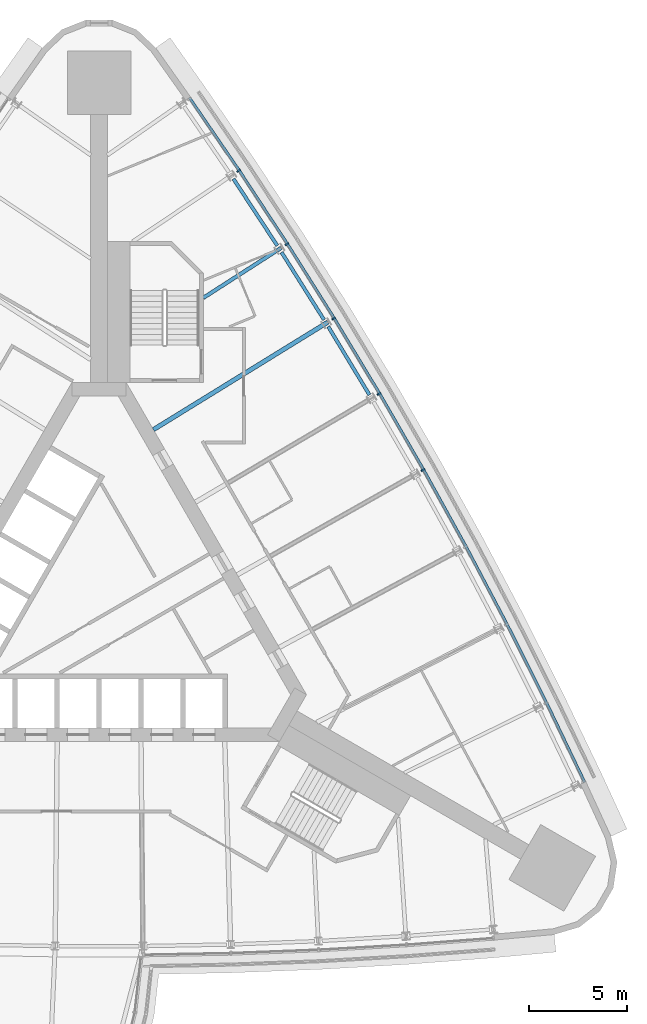
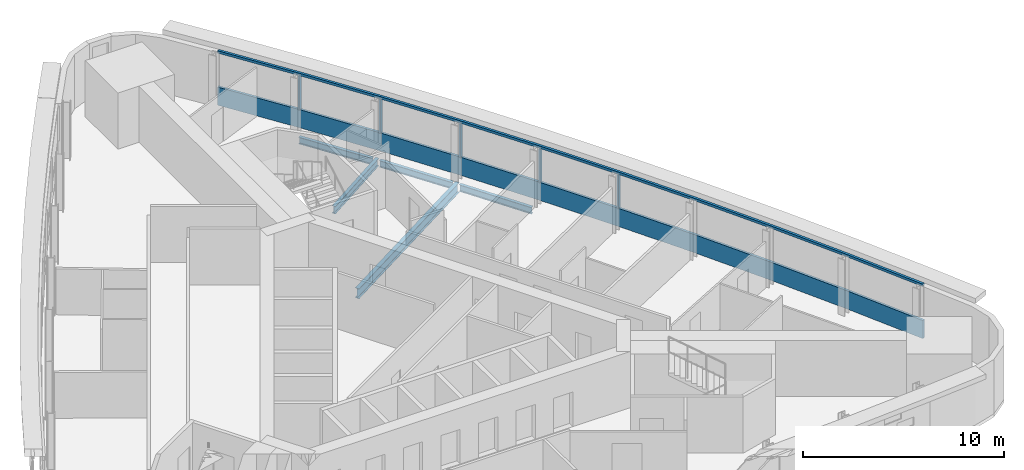
# One storey, part 8 of 16: 7 members, 5 beams, 1 element without a shape of its own.
"""IFC4 building model written with IfcOpenShell, lengths in metres."""

from ifc_helpers import new_model, si_unit, direction, frame, origin, origin_2d, place, context, subcontext, project, spatial, polyline, rectangle, i_section, outline, extrude, material, material_profile, profile_set, type_object, element, aggregate, save


model = new_model("IFC4")

# Units and contexts
model_context = context("Model", 3, precision=1e-05, world=origin(), true_north=direction((0.0, 1.0)))
body_context = subcontext(model_context, "Body", "Model", "MODEL_VIEW")
ifc_project = project(units=[si_unit("LENGTHUNIT", "METRE"), si_unit("AREAUNIT", "SQUARE_METRE"), si_unit("VOLUMEUNIT", "CUBIC_METRE"), si_unit("PLANEANGLEUNIT", "RADIAN"), si_unit("MASSUNIT", "GRAM", prefix="KILO")], contexts=[model_context])

# Site, building, storey
site_placement = place(None, origin())
site = spatial("IfcSite", under=ifc_project, at=site_placement, CompositionType="ELEMENT")
building_placement = place(site_placement, origin())
building = spatial("IfcBuilding", under=site, at=building_placement, Name="Noor Cloister Tower", CompositionType="ELEMENT")
storey_placement = place(building_placement, frame((0.0, 0.0, 65.39990234375)))
storey = spatial("IfcBuildingStorey", under=building, at=storey_placement, Name="L16", CompositionType="ELEMENT", Elevation=65.39990234375)

# Curtain wall, members
ifc_material_1 = material(Name="Aluminium 6063-T6 anodised", Category="aluminium")
curtain_wall_type = type_object("IfcCurtainWallType", Name="Ribbon curtain wall, lower tower CW1", PredefinedType="NOTDEFINED", material=ifc_material_1)
curtain_wall_placement = place(storey_placement, origin())
curtain_wall = element("IfcCurtainWall", 1, at=curtain_wall_placement, inside=storey, type_object=curtain_wall_type, Name="CW1 L16 NE run 4", PredefinedType="NOTDEFINED")
ifc_material_2 = material(Name="Aluminium 6063-T6 anodised", Category="aluminium")
member_type_1 = type_object("IfcMemberType", Name="Head transom CW1 150", PredefinedType="USERDEFINED", material=ifc_material_2)
member_1_placement = place(storey_placement, frame((0.0, 0.0, 3.150146484375)))
member_1 = element("IfcMember", 2, at=member_1_placement, type_object=member_type_1, Name="CW1 head transom", ObjectType="TRANSOM", PredefinedType="USERDEFINED", context=body_context, shape_type="SweptSolid", body=[
    extrude(outline(polyline([(24.908935546875, -8.972900390625), (22.962890625, -4.91552734375), (20.939697265625, -0.89599609375), (18.840087890625, 3.084228515625), (16.6650390625, 7.0234375), (14.4150390625, 10.920654296875), (12.091064453125, 14.77392578125), (9.69384765625, 18.582275390625), (7.224609375, 22.343994140625), (4.683837890625, 26.05810546875), (4.568115234375, 25.97900390625), (7.108154296875, 22.26611328125), (9.576171875, 18.506591796875), (11.971923828125, 14.700439453125), (14.29443359375, 10.849365234375), (16.543212890625, 6.95458984375), (18.717041015625, 3.017822265625), (20.815185546875, -0.9599609375), (22.837158203125, -4.97705078125), (24.78271484375, -9.033447265625), (24.908935546875, -8.972900390625)])), origin(), (0.0, 0.0, 1.0), 0.14990234375),
])
ifc_material_3 = material(Name="Aluminium 6063-T6 anodised", Category="aluminium")
ifc_material_profile_1 = material_profile(ifc_material_3, rectangle(XDim=0.199951171875, YDim=0.080078125, at=origin_2d()), Name="200 x 80 mullion")
ifc_profile_set_1 = profile_set([ifc_material_profile_1], Name="Aluminium 6063-T6 anodised")
member_type_2 = type_object("IfcMemberType", Name="Mullion CW1 80 x 200", PredefinedType="MULLION", material=ifc_profile_set_1)
member_2_placement = place(storey_placement, frame((16.577880859375, 6.974365234375, 1.10009765625), z_axis=(0.0, 0.0, 1.0), x_axis=(-0.870759932602, -0.491708388961, 0.0)))
member_2 = element("IfcMember", 3, at=member_2_placement, type_object=member_type_2, Name="CW1 mullion 5", PredefinedType="MULLION", context=body_context, shape_type="SweptSolid", body=[
    extrude(rectangle(XDim=0.199951171875, YDim=0.080078125, at=origin_2d()), origin(), (0.0, 0.0, 1.0), 2.050048828125),
])
member_3_placement = place(storey_placement, frame((14.328857421875, 10.86962890625, 1.10009765625), z_axis=(0.0, 0.0, 1.0), x_axis=(-0.861211922396, -0.50824602775, 0.0)))
member_3 = element("IfcMember", 4, at=member_3_placement, type_object=member_type_2, Name="CW1 mullion 6", PredefinedType="MULLION", context=body_context, shape_type="SweptSolid", body=[
    extrude(rectangle(XDim=0.199951171875, YDim=0.080078125, at=origin_2d()), origin(), (0.0, 0.0, 1.0), 2.050048828125),
])
member_4_placement = place(storey_placement, frame((12.005859375, 14.721435546875, 1.10009765625), z_axis=(0.0, 0.0, 1.0), x_axis=(-0.851349873532, -0.524598315702, 0.0)))
member_4 = element("IfcMember", 5, at=member_4_placement, type_object=member_type_2, Name="CW1 mullion 7", PredefinedType="MULLION", context=body_context, shape_type="SweptSolid", body=[
    extrude(rectangle(XDim=0.199951171875, YDim=0.080078125, at=origin_2d()), origin(), (0.0, 0.0, 1.0), 2.050048828125),
])
member_5_placement = place(storey_placement, frame((9.60986328125, 18.528076171875, 1.10009765625), z_axis=(0.0, 0.0, 1.0), x_axis=(-0.841177373697, -0.540759305034, 0.0)))
member_5 = element("IfcMember", 6, at=member_5_placement, type_object=member_type_2, Name="CW1 mullion 8", PredefinedType="MULLION", context=body_context, shape_type="SweptSolid", body=[
    extrude(rectangle(XDim=0.199951171875, YDim=0.080078125, at=origin_2d()), origin(), (0.0, 0.0, 1.0), 2.050048828125),
])
member_6_placement = place(storey_placement, frame((7.141357421875, 22.288330078125, 1.10009765625), z_axis=(0.0, 0.0, 1.0), x_axis=(-0.830698132368, -0.556723102521, 0.0)))
member_6 = element("IfcMember", 7, at=member_6_placement, type_object=member_type_2, Name="CW1 mullion 9", PredefinedType="MULLION", context=body_context, shape_type="SweptSolid", body=[
    extrude(rectangle(XDim=0.199951171875, YDim=0.080078125, at=origin_2d()), origin(), (0.0, 0.0, 1.0), 2.050048828125),
])

# Beams
ifc_material_4 = material(Name="Steel ASTM A992 Gr 50", Category="steel")
ifc_material_profile_2 = material_profile(ifc_material_4, i_section(OverallWidth=0.19091796875, OverallDepth=0.45703125, WebThickness=0.009033203125, FlangeThickness=0.014404296875, FilletRadius=0.01025390625, at=origin_2d()), Name="W460x74")
ifc_profile_set_2 = profile_set([ifc_material_profile_2], Name="Steel ASTM A992 Gr 50")
beam_type_1 = type_object("IfcBeamType", Name="Radial beam W460x74", PredefinedType="BEAM", material=ifc_profile_set_2)
beam_1_placement = place(storey_placement, frame((9.31298828125, 18.33740234375, -0.428466796875), z_axis=(-0.8411734424, -0.540765420309, 0.0), x_axis=(0.540765420309, -0.8411734424, 0.0)))
element("IfcBeam", 8, at=beam_1_placement, inside=storey, type_object=beam_type_1, Name="Radial beam NE 08 L16", PredefinedType="BEAM", context=body_context, shape_type="SweptSolid", body=[
    extrude(i_section(OverallWidth=0.19091796875, OverallDepth=0.45703125, WebThickness=0.009033203125, FlangeThickness=0.014404296875, FilletRadius=0.01025390625, at=origin_2d()), origin(), (0.0, 0.0, 1.0), 4.728271484375),
])
ifc_material_5 = material(Name="Steel ASTM A992 Gr 50", Category="steel")
ifc_material_profile_3 = material_profile(ifc_material_5, i_section(OverallWidth=0.22802734375, OverallDepth=0.60205078125, WebThickness=0.010498046875, FlangeThickness=0.014892578125, FilletRadius=0.0126953125, at=origin_2d()), Name="W610x101")
ifc_profile_set_3 = profile_set([ifc_material_profile_3], Name="Steel ASTM A992 Gr 50")
beam_type_2 = type_object("IfcBeamType", Name="Radial beam W610x101", PredefinedType="BEAM", material=ifc_profile_set_3)
beam_2_placement = place(storey_placement, frame((11.705322265625, 14.536376953125, -0.5009765625), z_axis=(-0.85134946525, -0.524598978286, 0.0), x_axis=(0.524598978286, -0.85134946525, 0.0)))
element("IfcBeam", 9, at=beam_2_placement, inside=storey, type_object=beam_type_2, Name="Radial beam NE 07 L16", PredefinedType="BEAM", context=body_context, shape_type="SweptSolid", body=[
    extrude(i_section(OverallWidth=0.22802734375, OverallDepth=0.60205078125, WebThickness=0.010498046875, FlangeThickness=0.014892578125, FilletRadius=0.0126953125, at=origin_2d()), origin(), (0.0, 0.0, 1.0), 10.4814453125),
])

# Member
ifc_material_6 = material(Name="Aluminium 6063-T6 anodised", Category="aluminium")
member_type_3 = type_object("IfcMemberType", Name="Sill transom CW1 1100", PredefinedType="USERDEFINED", material=ifc_material_6)
member_7_placement = place(storey_placement, origin())
member_7 = element("IfcMember", 10, at=member_7_placement, type_object=member_type_3, Name="CW1 sill transom", ObjectType="TRANSOM", PredefinedType="USERDEFINED", context=body_context, shape_type="SweptSolid", body=[
    extrude(outline(polyline([(24.908935546875, -8.972900390625), (22.962890625, -4.91552734375), (20.939697265625, -0.89599609375), (18.840087890625, 3.084228515625), (16.6650390625, 7.0234375), (14.4150390625, 10.920654296875), (12.091064453125, 14.77392578125), (9.69384765625, 18.582275390625), (7.224609375, 22.343994140625), (4.683837890625, 26.05810546875), (4.568115234375, 25.97900390625), (7.108154296875, 22.26611328125), (9.576171875, 18.506591796875), (11.971923828125, 14.700439453125), (14.29443359375, 10.849365234375), (16.543212890625, 6.95458984375), (18.717041015625, 3.017822265625), (20.815185546875, -0.9599609375), (22.837158203125, -4.97705078125), (24.78271484375, -9.033447265625), (24.908935546875, -8.972900390625)])), origin(), (0.0, 0.0, 1.0), 1.10009765625),
])

aggregate(curtain_wall, [member_2, member_3, member_4, member_5, member_6, member_7, member_1])

# Beams
ifc_material_7 = material(Name="Steel ASTM A992 Gr 50", Category="steel")
ifc_material_profile_4 = material_profile(ifc_material_7, i_section(OverallWidth=0.177978515625, OverallDepth=0.406005859375, WebThickness=0.0078125, FlangeThickness=0.0126953125, FilletRadius=0.01025390625, at=origin_2d()), Name="W410x60")
ifc_profile_set_4 = profile_set([ifc_material_profile_4], Name="Steel ASTM A992 Gr 50")
beam_type_3 = type_object("IfcBeamType", Name="Spandrel beam W410x60", PredefinedType="SPANDREL", material=ifc_profile_set_4)
beam_3_placement = place(storey_placement, frame((13.837158203125, 10.81396484375, -0.40283203125), z_axis=(-0.516471610202, 0.856304312646, 0.0), x_axis=(-0.856304312646, -0.516471610202, 0.0)))
element("IfcBeam", 11, at=beam_3_placement, inside=storey, type_object=beam_type_3, Name="Spandrel beam NE 06 L16", PredefinedType="SPANDREL", context=body_context, shape_type="SweptSolid", body=[
    extrude(i_section(OverallWidth=0.177978515625, OverallDepth=0.406005859375, WebThickness=0.0078125, FlangeThickness=0.0126953125, FilletRadius=0.01025390625, at=origin_2d()), origin(), (0.0, 0.0, 1.0), 4.085693359375),
])
beam_4_placement = place(storey_placement, frame((11.51513671875, 14.656494140625, -0.40283203125), z_axis=(-0.532719748658, 0.846291716484, 0.0), x_axis=(-0.846291716484, -0.532719748658, 0.0)))
element("IfcBeam", 12, at=beam_4_placement, inside=storey, type_object=beam_type_3, Name="Spandrel beam NE 07 L16", PredefinedType="SPANDREL", context=body_context, shape_type="SweptSolid", body=[
    extrude(i_section(OverallWidth=0.177978515625, OverallDepth=0.406005859375, WebThickness=0.0078125, FlangeThickness=0.0126953125, FilletRadius=0.01025390625, at=origin_2d()), origin(), (0.0, 0.0, 1.0), 4.085205078125),
])
beam_5_placement = place(storey_placement, frame((9.120361328125, 18.45361328125, -0.40283203125), z_axis=(-0.548742585616, 0.835991372402, 0.0), x_axis=(-0.835991372402, -0.548742585616, 0.0)))
element("IfcBeam", 13, at=beam_5_placement, inside=storey, type_object=beam_type_3, Name="Spandrel beam NE 08 L16", PredefinedType="SPANDREL", context=body_context, shape_type="SweptSolid", body=[
    extrude(i_section(OverallWidth=0.177978515625, OverallDepth=0.406005859375, WebThickness=0.0078125, FlangeThickness=0.0126953125, FilletRadius=0.01025390625, at=origin_2d()), origin(), (0.0, 0.0, 1.0), 4.085693359375),
])

save(model, "model.ifc")
